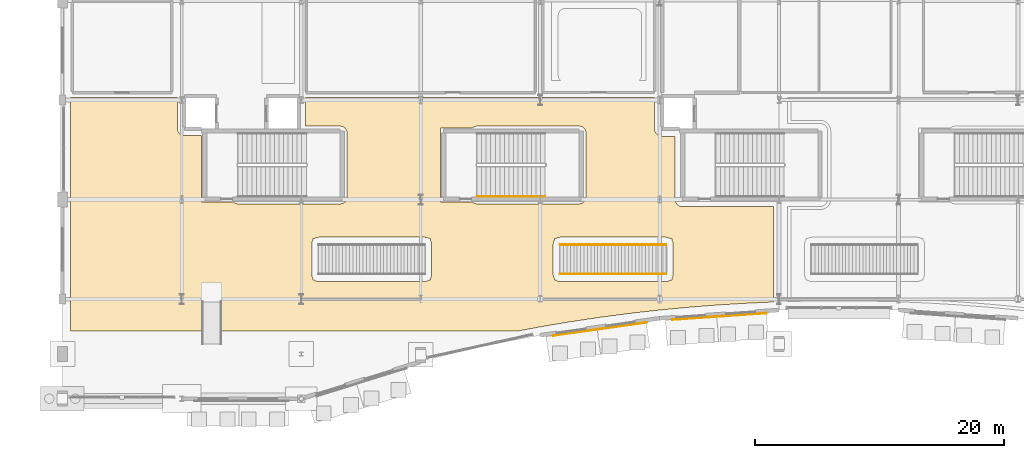
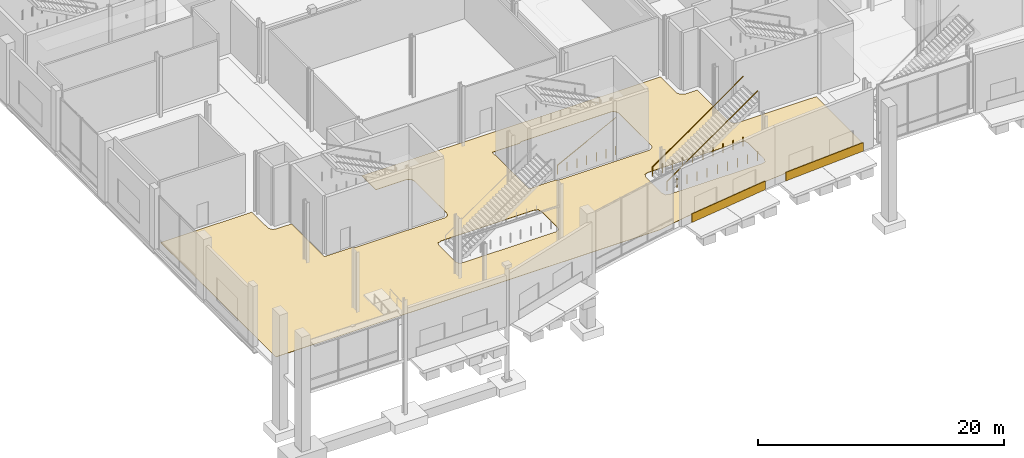
# One storey, part 103 of 124: 3 coverings, 3 railings.
"""IFC4 building model written with IfcOpenShell, lengths in metres."""

import ifcopenshell
import ifcopenshell.guid

model = None  # the IFC model being written
_history = None  # IfcOwnerHistory: only IFC2X3 demands one
_inside = {}  # id of a spatial element -> (the spatial element, [elements in it])
_under = {}  # id of a project, library or spatial element -> (it, [spatial elements below it])
_declared = {}  # id of a project -> (the project, [libraries it declares])
_typed = {}  # id of a type object -> (the type object, [elements of that type])
_made_of = {}  # id of a material, layer set ... -> (it, [elements and type objects made of it])


def new_model(schema):
    """Start an empty IFC model of exactly this schema.

    Asked for "IFC4X3", IfcOpenShell would pick the latest addendum, in which some entities
    have other attributes; the version numbers below select the first issue.
    IFC2X3 requires an IfcOwnerHistory on every rooted entity: one is made here for all.
    """
    global model, _history
    if schema == "IFC4X3":
        model = ifcopenshell.file(schema_version=(4, 3, 0, 0))
    else:
        model = ifcopenshell.file(schema=schema)
    _inside.clear()
    _under.clear()
    _declared.clear()
    _typed.clear()
    _made_of.clear()
    _history = None
    if model.schema == "IFC2X3":
        org = make("IfcOrganization", Name="unknown")
        user = make(
            "IfcPersonAndOrganization",
            ThePerson=make("IfcPerson", FamilyName="unknown"),
            TheOrganization=org,
        )
        app = make(
            "IfcApplication",
            ApplicationDeveloper=org,
            Version="unknown",
            ApplicationFullName="unknown",
            ApplicationIdentifier="unknown",
        )
        _history = make(
            "IfcOwnerHistory",
            OwningUser=user,
            OwningApplication=app,
            ChangeAction="ADDED",
            CreationDate=0,
        )
    return model


def make(cls, **values):
    """One entity of the class cls with the attributes given. An attribute that is None is left unset."""
    return model.create_entity(
        cls, **{name: value for name, value in values.items() if value is not None}
    )


def rooted(cls, **values):
    """An entity with a GlobalId (a new one), such as an element, a storey or a relation."""
    return make(cls, GlobalId=ifcopenshell.guid.new(), OwnerHistory=_history, **values)


def si_unit(unit_type, name, prefix=None):
    """IfcSIUnit, for example si_unit("LENGTHUNIT", "METRE", prefix="MILLI")."""
    return make("IfcSIUnit", UnitType=unit_type, Prefix=prefix, Name=name)


def assignment(units):
    """IfcUnitAssignment: the units of a project."""
    return None if units is None else make("IfcUnitAssignment", Units=units)


def point(xyz):
    """IfcCartesianPoint."""
    return None if xyz is None else make("IfcCartesianPoint", Coordinates=xyz)


def direction(xyz):
    """IfcDirection."""
    return None if xyz is None else make("IfcDirection", DirectionRatios=xyz)


def frame(location, z_axis=None, x_axis=None):
    """IfcAxis2Placement3D, a coordinate frame: its origin and axes. An axis left out is left unset."""
    return make(
        "IfcAxis2Placement3D",
        Location=point(location),
        Axis=direction(z_axis),
        RefDirection=direction(x_axis),
    )


def frame_2d(location, x_axis=None):
    """IfcAxis2Placement2D, a coordinate frame in the plane: its origin and x axis."""
    return make(
        "IfcAxis2Placement2D", Location=point(location), RefDirection=direction(x_axis)
    )


def origin():
    """The frame at (0, 0, 0) with its axes left unset."""
    return frame((0.0, 0.0, 0.0))


def origin_2d():
    """The frame at (0, 0) in the plane with its x axis left unset."""
    return frame_2d((0.0, 0.0))


def place(relative_to, where):
    """IfcLocalPlacement: puts the frame where relative to a parent placement (None: the world)."""
    return make(
        "IfcLocalPlacement", PlacementRelTo=relative_to, RelativePlacement=where
    )


def context(
    kind, dimensions, precision=None, world=None, true_north=None, identifier=None
):
    """IfcGeometricRepresentationContext, for example the 3D "Model" context."""
    return make(
        "IfcGeometricRepresentationContext",
        ContextIdentifier=identifier,
        ContextType=kind,
        CoordinateSpaceDimension=dimensions,
        Precision=precision,
        WorldCoordinateSystem=world,
        TrueNorth=true_north,
    )


def subcontext(parent, identifier, kind, view, scale=None):
    """IfcGeometricRepresentationSubContext, for example "Body" below "Model"."""
    return make(
        "IfcGeometricRepresentationSubContext",
        ContextIdentifier=identifier,
        ContextType=kind,
        ParentContext=parent,
        TargetScale=scale,
        TargetView=view,
    )


def project(units=None, contexts=None):
    """IfcProject with its units and contexts."""
    return rooted(
        "IfcProject",
        Name="project",
        RepresentationContexts=contexts,
        UnitsInContext=assignment(units),
    )


def spatial(cls, under=None, at=None, **own):
    """A site, building, storey or space (cls), placed at a placement, below another one or the project."""
    s = rooted(cls, ObjectPlacement=at, **own)
    if under is not None:
        _under.setdefault(under.id(), (under, []))[1].append(s)
    return s


def polyline(points):
    """IfcPolyline through the points."""
    return make("IfcPolyline", Points=[point(p) for p in points])


def profile(cls, at=None, kind="AREA", **sizes):
    """A parametric profile (cls). Its sizes go by their IFC names, for example OverallWidth=200.0."""
    return make(cls, ProfileType=kind, Position=at, **sizes)


def rectangle(**sizes):
    """IfcRectangleProfileDef."""
    return profile("IfcRectangleProfileDef", **sizes)


def circle(**sizes):
    """IfcCircleProfileDef."""
    return profile("IfcCircleProfileDef", **sizes)


def outline(outer, holes=None, kind="AREA"):
    """IfcArbitraryClosedProfileDef: a profile drawn as a closed curve; with holes, ...WithVoids."""
    if holes is None:
        return make("IfcArbitraryClosedProfileDef", ProfileType=kind, OuterCurve=outer)
    return make(
        "IfcArbitraryProfileDefWithVoids",
        ProfileType=kind,
        OuterCurve=outer,
        InnerCurves=holes,
    )


def extrude(swept, where, along, depth):
    """IfcExtrudedAreaSolid: the profile swept, set in the frame where, extruded along a direction by depth."""
    return make(
        "IfcExtrudedAreaSolid",
        SweptArea=swept,
        Position=where,
        ExtrudedDirection=direction(along),
        Depth=depth,
    )


def shape(context_of_items, identifier, shape_type, items):
    """IfcShapeRepresentation: the items that make up one representation, for example the "Body"."""
    return make(
        "IfcShapeRepresentation",
        ContextOfItems=context_of_items,
        RepresentationIdentifier=identifier,
        RepresentationType=shape_type,
        Items=items,
    )


def material(Name=None, Category=None):
    """IfcMaterial."""
    return make("IfcMaterial", Name=Name, Category=Category)


def layer(
    of_material, thickness, ventilated=None, Name=None, Category=None, Priority=None
):
    """IfcMaterialLayer: one layer of a wall or slab, of a material (None: an air gap)."""
    return make(
        "IfcMaterialLayer",
        Material=of_material,
        LayerThickness=thickness,
        IsVentilated=ventilated,
        Name=Name,
        Category=Category,
        Priority=Priority,
    )


def layer_set(layers, Name=None):
    """IfcMaterialLayerSet."""
    return make("IfcMaterialLayerSet", MaterialLayers=layers, LayerSetName=Name)


def made_of(thing, what):
    """Note that an element or type object is made of a material, layer set ...; save() writes the relation."""
    if what is not None:
        _made_of.setdefault(what.id(), (what, []))[1].append(thing)
    return thing


def type_object(cls, material=None, **own):
    """A type object (cls), such as IfcWallType, which elements share."""
    return made_of(rooted(cls, **own), material)


def element(
    cls,
    number,
    at=None,
    inside=None,
    cuts=None,
    type_object=None,
    material=None,
    context=None,
    identifier="Body",
    shape_type=None,
    held_by="IfcProductDefinitionShape",
    body=None,
    shapes=None,
    **own,
):
    """One element of the class cls, such as IfcWall. Its Tag is "e" and its number.

    at: its placement. inside: the storey or other place that contains it. cuts: it is an
    opening in that element (IfcRelVoidsElement). A single representation is given by context,
    identifier, shape_type and body (its items); several are given by shapes. held_by: the class
    of the entity that holds the representations. save() writes the other relations.
    """
    e = rooted(cls, Tag="e%d" % number, ObjectPlacement=at, **own)
    if body is not None:
        shapes = [shape(context, identifier, shape_type, body)]
    if shapes is not None:
        e.Representation = make(held_by, Representations=shapes)
    if inside is not None:
        _inside.setdefault(inside.id(), (inside, []))[1].append(e)
    if cuts is not None:
        rooted(
            "IfcRelVoidsElement", RelatingBuildingElement=cuts, RelatedOpeningElement=e
        )
    if type_object is not None:
        _typed.setdefault(type_object.id(), (type_object, []))[1].append(e)
    return made_of(e, material)


def aggregate(whole, parts):
    """IfcRelAggregates: a whole, such as a stair, and the parts it consists of."""
    return rooted("IfcRelAggregates", RelatingObject=whole, RelatedObjects=parts)


def save(model, path):
    """Write the relations noted so far, then the file.

    IfcRelAggregates (storeys below a building ...), IfcRelContainedInSpatialStructure (elements
    in a storey), IfcRelDefinesByType, IfcRelAssociatesMaterial and IfcRelDeclares: one each for
    every whole, place, type object, material and project.
    """
    for whole, parts in _under.values():
        aggregate(whole, parts)
    for where, things in _inside.values():
        rooted(
            "IfcRelContainedInSpatialStructure",
            RelatedElements=things,
            RelatingStructure=where,
        )
    for kind, things in _typed.values():
        rooted("IfcRelDefinesByType", RelatedObjects=things, RelatingType=kind)
    for what, things in _made_of.values():
        rooted("IfcRelAssociatesMaterial", RelatedObjects=things, RelatingMaterial=what)
    for by, libraries in _declared.values():
        rooted("IfcRelDeclares", RelatingContext=by, RelatedDefinitions=libraries)
    model.write(path)


model = new_model("IFC4")

# Units and contexts
model_context = context("Model", 3, precision=1e-05, world=origin(), true_north=direction((0.0, 1.0)))
body_context = subcontext(model_context, "Body", "Model", "MODEL_VIEW")
ifc_project = project(units=[si_unit("LENGTHUNIT", "METRE"), si_unit("AREAUNIT", "SQUARE_METRE"), si_unit("VOLUMEUNIT", "CUBIC_METRE"), si_unit("PLANEANGLEUNIT", "RADIAN"), si_unit("MASSUNIT", "GRAM", prefix="KILO")], contexts=[model_context])

# Site, building, storey
site_placement = place(None, origin())
site = spatial("IfcSite", under=ifc_project, at=site_placement, CompositionType="ELEMENT")
building_placement = place(site_placement, origin())
building = spatial("IfcBuilding", under=site, at=building_placement, Name="Danafjord Basin Convention Centre", CompositionType="ELEMENT")
storey_placement = place(building_placement, origin())
storey = spatial("IfcBuildingStorey", under=building, at=storey_placement, Name="L00", CompositionType="ELEMENT", Elevation=0.0)

# Coverings
ifc_material_1 = material(Name="Board-marked precast concrete rainscreen", Category="concrete")
ifc_layer_1 = layer(ifc_material_1, 0.06005859375)
ifc_layer_set_1 = layer_set([ifc_layer_1], Name="Board-marked precast concrete rainscreen")
covering_type_1 = type_object("IfcCoveringType", Name="COV-CLAD-PC", PredefinedType="CLADDING", material=ifc_layer_set_1)
for number, where, z_axis, x_axis, name in (
    (1, (43.224609375, 5.59912109375, 0.02490234375), (0.0, 0.0, 1.0), (0.990128157327, 0.140165017276, 0.0), "L00 board-marked precast spandrel cladding"),
    (2, (52.81201171875, 6.60986328125, 0.02490234375), (0.0, 0.0, 1.0), (0.997609375858, 0.069105232798, 0.0), "L00 board-marked precast spandrel cladding"),
):
    element("IfcCovering", number, at=place(storey_placement, frame(where, z_axis=z_axis, x_axis=x_axis)), inside=storey, type_object=covering_type_1, Name=name, PredefinedType="CLADDING", context=body_context, shape_type="SweptSolid", body=[
        extrude(rectangle(XDim=7.60009765625, YDim=0.06005859375, at=origin_2d()), origin(), (0.0, 0.0, 1.0), 0.85009765625),
    ])
ifc_material_2 = material(Name="Polished Bohus granite terrazzo", Category="masonry")
ifc_layer_2 = layer(ifc_material_2, 0.030029296875)
ifc_layer_set_2 = layer_set([ifc_layer_2], Name="Polished Bohus granite terrazzo")
covering_type_2 = type_object("IfcCoveringType", Name="COV-FLR-TER01", PredefinedType="FLOORING", material=ifc_layer_set_2)
covering_placement = place(storey_placement, origin())
element("IfcCovering", 3, at=covering_placement, inside=storey, type_object=covering_type_2, Name="Harbourfront Grand Registration Concourse finish flooring", PredefinedType="FLOORING", context=body_context, shape_type="SweptSolid", body=[
    extrude(outline(polyline([(47.590087890625, 21.699951171875), (47.591064453125, 21.672119140625), (47.592041015625, 21.656005859375), (47.594970703125, 21.625), (47.596923828125, 21.610107421875), (47.60791015625, 21.552978515625), (47.612060546875, 21.5380859375), (47.6201171875, 21.511962890625), (47.625, 21.4970703125), (47.64990234375, 21.43798828125), (47.656982421875, 21.424072265625), (47.66796875, 21.402099609375), (47.676025390625, 21.387939453125), (47.697021484375, 21.35498046875), (47.7060546875, 21.342041015625), (47.73095703125, 21.31005859375), (47.758056640625, 21.280029296875), (47.76904296875, 21.26904296875), (47.780029296875, 21.258056640625), (47.81005859375, 21.23095703125), (47.842041015625, 21.2060546875), (47.85498046875, 21.197021484375), (47.887939453125, 21.176025390625), (47.902099609375, 21.16796875), (47.924072265625, 21.156982421875), (47.93798828125, 21.14990234375), (47.9970703125, 21.125), (48.011962890625, 21.1201171875), (48.0380859375, 21.112060546875), (48.052978515625, 21.10791015625), (48.110107421875, 21.096923828125), (48.125, 21.094970703125), (48.156005859375, 21.092041015625), (48.172119140625, 21.091064453125), (48.199951171875, 21.090087890625), (49.239990234375, 21.090087890625), (49.239990234375, 16.050048828125), (49.240966796875, 16.02197265625), (49.241943359375, 16.006103515625), (49.2451171875, 15.97509765625), (49.2470703125, 15.9599609375), (49.258056640625, 15.903076171875), (49.261962890625, 15.887939453125), (49.27001953125, 15.862060546875), (49.27490234375, 15.846923828125), (49.300048828125, 15.7880859375), (49.306884765625, 15.77392578125), (49.318115234375, 15.751953125), (49.325927734375, 15.738037109375), (49.346923828125, 15.705078125), (49.35595703125, 15.69189453125), (49.381103515625, 15.659912109375), (49.407958984375, 15.6298828125), (49.4189453125, 15.618896484375), (49.429931640625, 15.60791015625), (49.4599609375, 15.5810546875), (49.491943359375, 15.555908203125), (49.5048828125, 15.547119140625), (49.5380859375, 15.52587890625), (49.552001953125, 15.51806640625), (49.573974609375, 15.507080078125), (49.587890625, 15.5), (49.64697265625, 15.47509765625), (49.662109375, 15.469970703125), (49.68798828125, 15.4619140625), (49.702880859375, 15.4580078125), (49.760009765625, 15.447021484375), (49.77490234375, 15.445068359375), (49.805908203125, 15.44189453125), (49.822021484375, 15.44091796875), (49.85009765625, 15.43994140625), (57.14990234375, 15.43994140625), (57.14990234375, 7.76806640625), (55.172119140625, 7.68408203125), (55.1640625, 7.68310546875), (52.760009765625, 7.5380859375), (52.751953125, 7.5380859375), (50.347900390625, 7.35009765625), (50.340087890625, 7.34912109375), (47.93603515625, 7.118896484375), (47.927978515625, 7.117919921875), (45.52392578125, 6.844970703125), (45.51611328125, 6.843994140625), (43.112060546875, 6.52587890625), (43.10400390625, 6.52490234375), (40.699951171875, 6.1640625), (40.69189453125, 6.1630859375), (38.2880859375, 5.75390625), (38.279052734375, 5.751953125), (36.68310546875, 5.449951171875), (0.669921875, 5.449951171875), (0.669921875, 24.199951171875), (9.25, 24.199951171875), (9.25, 21.699951171875), (9.2529296875, 21.64599609375), (9.260986328125, 21.593017578125), (9.27392578125, 21.5400390625), (9.2919921875, 21.489990234375), (9.31494140625, 21.44091796875), (9.343017578125, 21.39404296875), (9.375, 21.35107421875), (9.410888671875, 21.31103515625), (9.450927734375, 21.27490234375), (9.493896484375, 21.242919921875), (9.541015625, 21.215087890625), (9.590087890625, 21.19189453125), (9.639892578125, 21.174072265625), (9.693115234375, 21.160888671875), (9.74609375, 21.153076171875), (9.800048828125, 21.14990234375), (11.199951171875, 21.14990234375), (11.199951171875, 15.800048828125), (13.763916015625, 15.800048828125), (13.781005859375, 15.784912109375), (13.823974609375, 15.7529296875), (13.87109375, 15.72509765625), (13.919921875, 15.701904296875), (13.969970703125, 15.68408203125), (14.02294921875, 15.6708984375), (14.075927734375, 15.6630859375), (14.1298828125, 15.659912109375), (22.330078125, 15.659912109375), (22.384033203125, 15.6630859375), (22.43701171875, 15.6708984375), (22.489990234375, 15.68408203125), (22.5400390625, 15.701904296875), (22.589111328125, 15.72509765625), (22.635986328125, 15.7529296875), (22.678955078125, 15.784912109375), (22.696044921875, 15.800048828125), (22.739990234375, 15.800048828125), (22.739990234375, 15.843994140625), (22.7548828125, 15.861083984375), (22.787109375, 15.904052734375), (22.81494140625, 15.950927734375), (22.837890625, 16.0), (22.85595703125, 16.050048828125), (22.868896484375, 16.10302734375), (22.876953125, 16.156005859375), (22.8798828125, 16.2099609375), (22.8798828125, 21.35009765625), (22.876953125, 21.404052734375), (22.868896484375, 21.45703125), (22.85595703125, 21.510009765625), (22.837890625, 21.56005859375), (22.81494140625, 21.60888671875), (22.787109375, 21.656005859375), (22.7548828125, 21.698974609375), (22.739990234375, 21.716064453125), (22.739990234375, 21.760009765625), (22.696044921875, 21.760009765625), (22.678955078125, 21.77490234375), (22.635986328125, 21.806884765625), (22.589111328125, 21.8349609375), (22.5400390625, 21.85791015625), (22.489990234375, 21.8759765625), (22.43701171875, 21.888916015625), (22.384033203125, 21.89697265625), (22.330078125, 21.89990234375), (19.550048828125, 21.89990234375), (19.550048828125, 24.199951171875), (47.590087890625, 24.199951171875), (47.590087890625, 21.699951171875)]), holes=[polyline([(48.97509765625, 12.739990234375), (48.97509765625, 12.875), (48.840087890625, 12.875), (48.8310546875, 12.882080078125), (48.783935546875, 12.909912109375), (48.735107421875, 12.93310546875), (48.68505859375, 12.950927734375), (48.632080078125, 12.964111328125), (48.5791015625, 12.971923828125), (48.52490234375, 12.97509765625), (40.0, 12.97509765625), (39.946044921875, 12.971923828125), (39.89306640625, 12.964111328125), (39.840087890625, 12.950927734375), (39.7900390625, 12.93310546875), (39.740966796875, 12.909912109375), (39.694091796875, 12.882080078125), (39.68505859375, 12.875), (39.550048828125, 12.875), (39.550048828125, 12.739990234375), (39.54296875, 12.73095703125), (39.514892578125, 12.68408203125), (39.491943359375, 12.635009765625), (39.47412109375, 12.5849609375), (39.4609375, 12.531982421875), (39.452880859375, 12.47900390625), (39.449951171875, 12.425048828125), (39.449951171875, 9.97509765625), (39.452880859375, 9.9208984375), (39.4609375, 9.867919921875), (39.47412109375, 9.81494140625), (39.491943359375, 9.764892578125), (39.514892578125, 9.716064453125), (39.54296875, 9.6689453125), (39.550048828125, 9.659912109375), (39.550048828125, 9.52490234375), (39.68505859375, 9.52490234375), (39.694091796875, 9.51806640625), (39.740966796875, 9.489990234375), (39.7900390625, 9.467041015625), (39.840087890625, 9.448974609375), (39.89306640625, 9.43603515625), (39.946044921875, 9.427978515625), (40.0, 9.425048828125), (48.52490234375, 9.425048828125), (48.5791015625, 9.427978515625), (48.632080078125, 9.43603515625), (48.68505859375, 9.448974609375), (48.735107421875, 9.467041015625), (48.783935546875, 9.489990234375), (48.8310546875, 9.51806640625), (48.840087890625, 9.52490234375), (48.97509765625, 9.52490234375), (48.97509765625, 9.659912109375), (48.98193359375, 9.6689453125), (49.010009765625, 9.716064453125), (49.032958984375, 9.764892578125), (49.051025390625, 9.81494140625), (49.06396484375, 9.867919921875), (49.072021484375, 9.9208984375), (49.074951171875, 9.97509765625), (49.074951171875, 12.425048828125), (49.072021484375, 12.47900390625), (49.06396484375, 12.531982421875), (49.051025390625, 12.5849609375), (49.032958984375, 12.635009765625), (49.010009765625, 12.68408203125), (48.98193359375, 12.73095703125), (48.97509765625, 12.739990234375)]), polyline([(33.071044921875, 15.72509765625), (33.1201171875, 15.701904296875), (33.169921875, 15.68408203125), (33.222900390625, 15.6708984375), (33.27587890625, 15.6630859375), (33.330078125, 15.659912109375), (41.530029296875, 15.659912109375), (41.583984375, 15.6630859375), (41.636962890625, 15.6708984375), (41.68994140625, 15.68408203125), (41.739990234375, 15.701904296875), (41.7890625, 15.72509765625), (41.8359375, 15.7529296875), (41.87890625, 15.784912109375), (41.89599609375, 15.800048828125), (41.93994140625, 15.800048828125), (41.93994140625, 15.843994140625), (41.955078125, 15.861083984375), (41.987060546875, 15.904052734375), (42.014892578125, 15.950927734375), (42.0380859375, 16.0), (42.055908203125, 16.050048828125), (42.069091796875, 16.10302734375), (42.076904296875, 16.156005859375), (42.080078125, 16.2099609375), (42.080078125, 21.35009765625), (42.076904296875, 21.404052734375), (42.069091796875, 21.45703125), (42.055908203125, 21.510009765625), (42.0380859375, 21.56005859375), (42.014892578125, 21.60888671875), (41.987060546875, 21.656005859375), (41.955078125, 21.698974609375), (41.93994140625, 21.716064453125), (41.93994140625, 21.760009765625), (41.89599609375, 21.760009765625), (41.87890625, 21.77490234375), (41.8359375, 21.806884765625), (41.7890625, 21.8349609375), (41.739990234375, 21.85791015625), (41.68994140625, 21.8759765625), (41.636962890625, 21.888916015625), (41.583984375, 21.89697265625), (41.530029296875, 21.89990234375), (33.330078125, 21.89990234375), (33.27587890625, 21.89697265625), (33.222900390625, 21.888916015625), (33.169921875, 21.8759765625), (33.1201171875, 21.85791015625), (33.071044921875, 21.8349609375), (33.02392578125, 21.806884765625), (32.98095703125, 21.77490234375), (32.964111328125, 21.760009765625), (30.39990234375, 21.760009765625), (30.39990234375, 15.800048828125), (32.964111328125, 15.800048828125), (32.98095703125, 15.784912109375), (33.02392578125, 15.7529296875), (33.071044921875, 15.72509765625)]), polyline([(20.341064453125, 9.489990234375), (20.389892578125, 9.467041015625), (20.43994140625, 9.448974609375), (20.492919921875, 9.43603515625), (20.5458984375, 9.427978515625), (20.60009765625, 9.425048828125), (29.125, 9.425048828125), (29.178955078125, 9.427978515625), (29.23193359375, 9.43603515625), (29.284912109375, 9.448974609375), (29.3349609375, 9.467041015625), (29.384033203125, 9.489990234375), (29.430908203125, 9.51806640625), (29.43994140625, 9.52490234375), (29.574951171875, 9.52490234375), (29.574951171875, 9.659912109375), (29.58203125, 9.6689453125), (29.610107421875, 9.716064453125), (29.633056640625, 9.764892578125), (29.65087890625, 9.81494140625), (29.6640625, 9.867919921875), (29.672119140625, 9.9208984375), (29.675048828125, 9.97509765625), (29.675048828125, 12.425048828125), (29.672119140625, 12.47900390625), (29.6640625, 12.531982421875), (29.65087890625, 12.5849609375), (29.633056640625, 12.635009765625), (29.610107421875, 12.68408203125), (29.58203125, 12.73095703125), (29.574951171875, 12.739990234375), (29.574951171875, 12.875), (29.43994140625, 12.875), (29.430908203125, 12.882080078125), (29.384033203125, 12.909912109375), (29.3349609375, 12.93310546875), (29.284912109375, 12.950927734375), (29.23193359375, 12.964111328125), (29.178955078125, 12.971923828125), (29.125, 12.97509765625), (20.60009765625, 12.97509765625), (20.5458984375, 12.971923828125), (20.492919921875, 12.964111328125), (20.43994140625, 12.950927734375), (20.389892578125, 12.93310546875), (20.341064453125, 12.909912109375), (20.2939453125, 12.882080078125), (20.284912109375, 12.875), (20.14990234375, 12.875), (20.14990234375, 12.739990234375), (20.14306640625, 12.73095703125), (20.114990234375, 12.68408203125), (20.092041015625, 12.635009765625), (20.073974609375, 12.5849609375), (20.06103515625, 12.531982421875), (20.052978515625, 12.47900390625), (20.050048828125, 12.425048828125), (20.050048828125, 9.97509765625), (20.052978515625, 9.9208984375), (20.06103515625, 9.867919921875), (20.073974609375, 9.81494140625), (20.092041015625, 9.764892578125), (20.114990234375, 9.716064453125), (20.14306640625, 9.6689453125), (20.14990234375, 9.659912109375), (20.14990234375, 9.52490234375), (20.284912109375, 9.52490234375), (20.2939453125, 9.51806640625), (20.341064453125, 9.489990234375)])]), origin(), (0.0, 0.0, 1.0), 0.030029296875),
])

# Railings
ifc_material_3 = material(Name="Brushed stainless steel EN 1.4404", Category="steel")
railing_type = type_object("IfcRailingType", Name="RL-HR-STAIR", PredefinedType="HANDRAIL", material=ifc_material_3)
railing_placement = place(storey_placement, frame((33.330078125, 16.260009765625, 0.1875)))
element("IfcRailing", 4, at=railing_placement, inside=storey, type_object=railing_type, Name="L00 ST-02 stair handrail 1", PredefinedType="HANDRAIL", context=body_context, shape_type="SweptSolid", body=[
    extrude(circle(Radius=0.02392578125, at=origin_2d()), frame((0.0, 0.0, 0.8759765625), z_axis=(0.889495128042, 0.0, 0.456944654405), x_axis=(0.0, 1.0, 0.0)), (0.0, 0.0, 1.0), 6.155029296875),
    extrude(circle(Radius=0.02099609375, at=origin_2d()), origin(), (0.0, 0.0, 1.0), 0.849853515625),
    extrude(circle(Radius=0.02099609375, at=origin_2d()), frame((0.91259765625, 0.0, 0.0)), (0.0, 0.0, 1.0), 0.849853515625),
    extrude(circle(Radius=0.02099609375, at=origin_2d()), frame((1.824951171875, 0.0, 0.0)), (0.0, 0.0, 1.0), 0.849853515625),
    extrude(circle(Radius=0.02099609375, at=origin_2d()), frame((2.7373046875, 0.0, 0.0)), (0.0, 0.0, 1.0), 0.849853515625),
    extrude(circle(Radius=0.02099609375, at=origin_2d()), frame((3.64990234375, 0.0, 0.0)), (0.0, 0.0, 1.0), 0.849853515625),
    extrude(circle(Radius=0.02099609375, at=origin_2d()), frame((4.5625, 0.0, 0.0)), (0.0, 0.0, 1.0), 0.849853515625),
    extrude(circle(Radius=0.02099609375, at=origin_2d()), frame((5.474853515625, 0.0, 0.0)), (0.0, 0.0, 1.0), 0.849853515625),
])
for number, where, name in (
    (5, (40.0, 12.375, 0.0), "Central Harbour Concourse West Grand Stair handrail L"),
    (6, (40.0, 10.02490234375, 0.0), "Central Harbour Concourse West Grand Stair handrail R"),
):
    element("IfcRailing", number, at=place(storey_placement, frame(where)), inside=storey, type_object=railing_type, Name=name, PredefinedType="HANDRAIL", context=body_context, shape_type="SweptSolid", body=[
        extrude(circle(Radius=0.02392578125, at=origin_2d()), frame((0.0, 0.0, 0.89599609375), z_axis=(0.817761511564, 0.0, 0.575557217143), x_axis=(0.0, 1.0, 0.0)), (0.0, 0.0, 1.0), 10.424560546875),
        extrude(circle(Radius=0.02099609375, at=origin_2d()), origin(), (0.0, 0.0, 1.0), 0.869873046875),
        extrude(circle(Radius=0.02099609375, at=origin_2d()), frame((0.947265625, 0.0, 0.0)), (0.0, 0.0, 1.0), 0.869873046875),
        extrude(circle(Radius=0.02099609375, at=origin_2d()), frame((1.89453125, 0.0, 0.0)), (0.0, 0.0, 1.0), 0.869873046875),
        extrude(circle(Radius=0.02099609375, at=origin_2d()), frame((2.841552734375, 0.0, 0.0)), (0.0, 0.0, 1.0), 0.869873046875),
        extrude(circle(Radius=0.02099609375, at=origin_2d()), frame((3.788818359375, 0.0, 0.0)), (0.0, 0.0, 1.0), 0.869873046875),
        extrude(circle(Radius=0.02099609375, at=origin_2d()), frame((4.736083984375, 0.0, 0.0)), (0.0, 0.0, 1.0), 0.869873046875),
        extrude(circle(Radius=0.02099609375, at=origin_2d()), frame((5.683349609375, 0.0, 0.0)), (0.0, 0.0, 1.0), 0.869873046875),
        extrude(circle(Radius=0.02099609375, at=origin_2d()), frame((6.63037109375, 0.0, 0.0)), (0.0, 0.0, 1.0), 0.869873046875),
        extrude(circle(Radius=0.02099609375, at=origin_2d()), frame((7.57763671875, 0.0, 0.0)), (0.0, 0.0, 1.0), 0.869873046875),
        extrude(circle(Radius=0.02099609375, at=origin_2d()), frame((8.52490234375, 0.0, 0.0)), (0.0, 0.0, 1.0), 0.869873046875),
    ])

save(model, "model.ifc")
